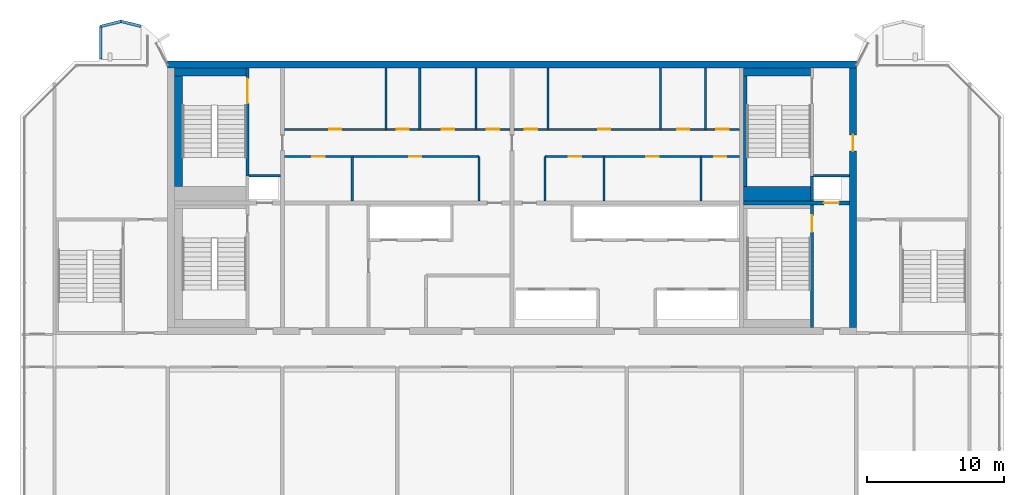
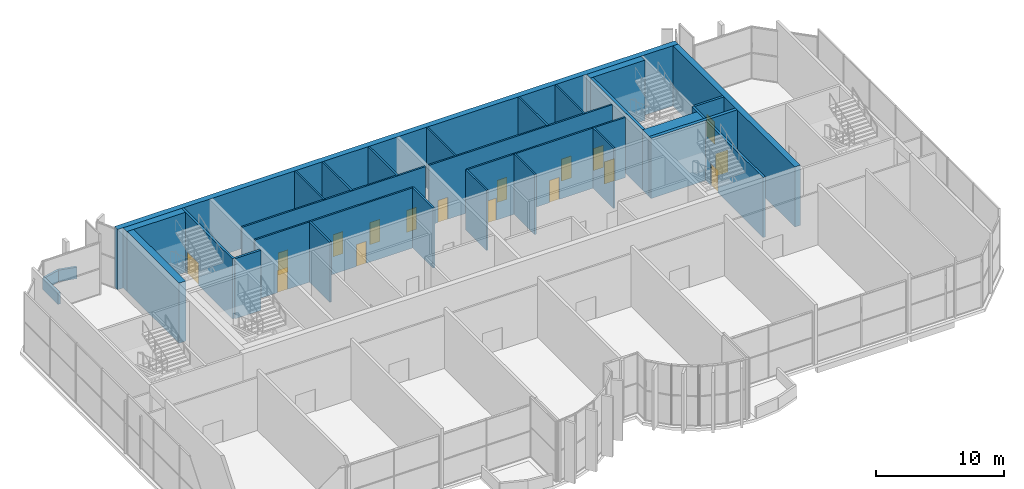
# One storey, part 15 of 17: 31 walls, 17 doors, 17 openings.
"""IFC4 building model written with IfcOpenShell, lengths in metres."""

from ifc_helpers import new_model, si_unit, direction, frame, frame_2d, origin, place, context, subcontext, project, spatial, rectangle, extrude, source, transform, mapped, material, layer, layer_set, type_object, element, fill, save


model = new_model("IFC4")

# Units and contexts
model_context = context("Model", 3, precision=1e-05, world=origin(), true_north=direction((0.0, 1.0)))
body_context = subcontext(model_context, "Body", "Model", "MODEL_VIEW")
ifc_project = project(units=[si_unit("LENGTHUNIT", "METRE"), si_unit("AREAUNIT", "SQUARE_METRE"), si_unit("VOLUMEUNIT", "CUBIC_METRE"), si_unit("PLANEANGLEUNIT", "RADIAN"), si_unit("MASSUNIT", "GRAM", prefix="KILO")], contexts=[model_context])

# Site, building, storey
site_placement = place(None, origin())
site = spatial("IfcSite", under=ifc_project, at=site_placement, CompositionType="ELEMENT")
building_placement = place(site_placement, origin())
building = spatial("IfcBuilding", under=site, at=building_placement, Name="Vanashikhar Sky Hotel", CompositionType="ELEMENT")
storey_placement = place(building_placement, frame((0.0, 0.0, 323.699951171875)))
storey = spatial("IfcBuildingStorey", under=building, at=storey_placement, Name="L77", CompositionType="ELEMENT", Elevation=323.699951171875)

# Wall
ifc_material_1 = material(Name="Concrete M50", Category="concrete")
ifc_layer_1 = layer(ifc_material_1, 0.5)
ifc_layer_set_1 = layer_set([ifc_layer_1], Name="RC core shell wall 500 Concrete M50")
wall_type_1 = type_object("IfcWallType", Name="RC core shell wall 500 Concrete M50", PredefinedType="SHEAR", material=ifc_layer_set_1)
shared_shape_1 = source(origin(), body_context, "Body", "SweptSolid", [
    extrude(rectangle(XDim=50.400146484375, YDim=0.5, at=frame_2d((25.2001953125, 0.0))), origin(), (0.0, 0.0, 1.0), 5.719970703125),
])
wall_1_placement = place(storey_placement, frame((25.199951171875, 41.75, 0.0), z_axis=(0.0, 0.0, 1.0), x_axis=(1.0, 0.0, 0.0)))
element("IfcWall", 1, at=wall_1_placement, inside=storey, type_object=wall_type_1, Name="KW-L77-KN", PredefinedType="SHEAR", context=body_context, shape_type="MappedRepresentation", body=[
    mapped(shared_shape_1, transform((0.0, 0.0, 0.0), scale=1.0)),
])

# Wall, opening, door
shared_shape_2 = source(origin(), body_context, "Body", "SweptSolid", [
    extrude(rectangle(XDim=19.0, YDim=0.5, at=frame_2d((9.5, 0.0))), origin(), (0.0, 0.0, 1.0), 5.719970703125),
])
wall_2_placement = place(storey_placement, frame((75.35009765625, 22.5, 0.0), z_axis=(0.0, 0.0, 1.0), x_axis=(0.0, 1.0, 0.0)))
wall_2 = element("IfcWall", 2, at=wall_2_placement, inside=storey, type_object=wall_type_1, Name="KW-L77-KE", PredefinedType="SHEAR", context=body_context, shape_type="MappedRepresentation", body=[
    mapped(shared_shape_2, transform((0.0, 0.0, 0.0), scale=1.0)),
])
shared_shape_3 = source(origin(), body_context, "Body", "SweptSolid", [
    extrude(rectangle(XDim=1.199951171875, YDim=2.10009765625, at=frame_2d((0.60009765625, 1.050048828125))), frame((0.0, 0.260009765625, 0.0), z_axis=(0.0, -1.0, 0.0), x_axis=(1.0, 0.0, 0.0)), (0.0, 0.0, 1.0), 0.52001953125),
])
opening_1_placement = place(wall_2_placement, frame((12.89990234375, 0.0, 0.0)))
opening_1 = element("IfcOpeningElement", 3, at=opening_1_placement, cuts=wall_2, Name="Opening DC-4-D", PredefinedType="OPENING", context=body_context, shape_type="MappedRepresentation", body=[
    mapped(shared_shape_3, transform((0.0, 0.0, 0.0), scale=1.0)),
])
ifc_material_2 = material(Name="Steel", Category="steel")
door_type_1 = type_object("IfcDoorType", Name="Service door 1200 FD120", OperationType="NOTDEFINED", PredefinedType="DOOR", material=ifc_material_2)
shared_shape_4 = source(origin(), body_context, "Body", "SweptSolid", [
    extrude(rectangle(XDim=1.199951171875, YDim=2.10009765625, at=frame_2d((0.60009765625, 1.050048828125))), frame((0.0, 0.02490234375, 0.0), z_axis=(0.0, -1.0, 0.0), x_axis=(1.0, 0.0, 0.0)), (0.0, 0.0, 1.0), 0.050048828125),
])
door_1_placement = place(opening_1_placement, origin())
door_1 = element("IfcDoor", 4, at=door_1_placement, inside=storey, type_object=door_type_1, Name="Service door 1200 FD120", OperationType="SINGLE_SWING_LEFT", OverallHeight=2.10009765625, OverallWidth=1.199951171875, PredefinedType="DOOR", context=body_context, shape_type="MappedRepresentation", body=[
    mapped(shared_shape_4, transform((0.0, 0.0, 0.0), scale=1.0)),
])
fill(opening_1, door_1)

ifc_layer_2 = layer(ifc_material_1, 0.300048828125)
ifc_layer_set_2 = layer_set([ifc_layer_2], Name="RC core inner wall 300 Concrete M50")
wall_type_2 = type_object("IfcWallType", Name="RC core inner wall 300 Concrete M50", PredefinedType="SHEAR", material=ifc_layer_set_2)
shared_shape_5 = source(origin(), body_context, "Body", "SweptSolid", [
    extrude(rectangle(XDim=7.75, YDim=0.300048828125, at=frame_2d((3.875, 0.0))), origin(), (0.0, 0.0, 1.0), 5.719970703125),
])
wall_3_placement = place(storey_placement, frame((67.35009765625, 31.60009765625, 0.0), z_axis=(0.0, 0.0, 1.0), x_axis=(1.0, 0.0, 0.0)))
wall_3 = element("IfcWall", 5, at=wall_3_placement, inside=storey, type_object=wall_type_2, Name="KW-L77-KY4", PredefinedType="SHEAR", context=body_context, shape_type="MappedRepresentation", body=[
    mapped(shared_shape_5, transform((0.0, 0.0, 0.0), scale=1.0)),
])
shared_shape_6 = source(origin(), body_context, "Body", "SweptSolid", [
    extrude(rectangle(XDim=1.10009765625, YDim=2.10009765625, at=frame_2d((0.550048828125, 1.050048828125))), frame((0.0, 0.16015625, 0.0), z_axis=(0.0, -1.0, 0.0), x_axis=(1.0, 0.0, 0.0)), (0.0, 0.0, 1.0), 0.320068359375),
])
opening_2_placement = place(wall_3_placement, frame((5.875, 0.0, 0.0)))
opening_2 = element("IfcOpeningElement", 6, at=opening_2_placement, cuts=wall_3, Name="Opening LD", PredefinedType="OPENING", context=body_context, shape_type="MappedRepresentation", body=[
    mapped(shared_shape_6, transform((0.0, 0.0, 0.0), scale=1.0)),
])
ifc_material_3 = material(Name="Stainless steel", Category="steel")
door_type_2 = type_object("IfcDoorType", Name="Lift landing door 1100", OperationType="NOTDEFINED", PredefinedType="DOOR", material=ifc_material_3)
shared_shape_7 = source(origin(), body_context, "Body", "SweptSolid", [
    extrude(rectangle(XDim=1.10009765625, YDim=2.10009765625, at=frame_2d((0.550048828125, 1.050048828125))), frame((0.0, 0.02490234375, 0.0), z_axis=(0.0, -1.0, 0.0), x_axis=(1.0, 0.0, 0.0)), (0.0, 0.0, 1.0), 0.050048828125),
])
door_2_placement = place(opening_2_placement, origin())
door_2 = element("IfcDoor", 7, at=door_2_placement, inside=storey, type_object=door_type_2, Name="Lift landing door 1100", OperationType="SLIDING_TO_LEFT", OverallHeight=2.10009765625, OverallWidth=1.10009765625, PredefinedType="DOOR", context=body_context, shape_type="MappedRepresentation", body=[
    mapped(shared_shape_7, transform((0.0, 0.0, 0.0), scale=1.0)),
])
fill(opening_2, door_2)

# Walls
ifc_layer_3 = layer(ifc_material_1, 0.199951171875)
ifc_layer_set_3 = layer_set([ifc_layer_3], Name="Parapet 200")
wall_type_3 = type_object("IfcWallType", Name="Parapet 200", PredefinedType="PARAPET", material=ifc_layer_set_3)
shared_shape_8 = source(origin(), body_context, "Body", "SweptSolid", [
    extrude(rectangle(XDim=2.3896484375, YDim=0.199951171875, at=frame_2d((1.19482421875, 0.0))), origin(), (0.0, 0.0, 1.0), 1.10009765625),
])
wall_4_placement = place(storey_placement, frame((20.31396484375, 42.139892578125, -0.050048828125), z_axis=(0.0, 0.0, 1.0), x_axis=(0.0, 1.0, 0.0)))
element("IfcWall", 8, at=wall_4_placement, inside=storey, type_object=wall_type_3, Name="Roof parapet", PredefinedType="PARAPET", context=body_context, shape_type="MappedRepresentation", body=[
    mapped(shared_shape_8, transform((0.0, 0.0, 0.0), scale=1.0)),
])
shared_shape_9 = source(origin(), body_context, "Body", "SweptSolid", [
    extrude(rectangle(XDim=1.5302734375, YDim=0.199951171875, at=frame_2d((0.76513671875, 0.0))), origin(), (0.0, 0.0, 1.0), 1.10009765625),
])
wall_5_placement = place(storey_placement, frame((20.31396484375, 44.529541015625, -0.050048828125), z_axis=(0.0, 0.0, 1.0), x_axis=(0.971064415522, 0.238817714808, 0.0)))
element("IfcWall", 9, at=wall_5_placement, inside=storey, type_object=wall_type_3, Name="Roof parapet", PredefinedType="PARAPET", context=body_context, shape_type="MappedRepresentation", body=[
    mapped(shared_shape_9, transform((0.0, 0.0, 0.0), scale=1.0)),
])
shared_shape_10 = source(origin(), body_context, "Body", "SweptSolid", [
    extrude(rectangle(XDim=1.4912109375, YDim=0.199951171875, at=frame_2d((0.74560546875, 0.0))), origin(), (0.0, 0.0, 1.0), 1.10009765625),
])
wall_6_placement = place(storey_placement, frame((21.800048828125, 44.89501953125, -0.050048828125), z_axis=(0.0, 0.0, 1.0), x_axis=(0.971088495324, -0.238719781855, 0.0)))
element("IfcWall", 10, at=wall_6_placement, inside=storey, type_object=wall_type_3, Name="Roof parapet", PredefinedType="PARAPET", context=body_context, shape_type="MappedRepresentation", body=[
    mapped(shared_shape_10, transform((0.0, 0.0, 0.0), scale=1.0)),
])
ifc_material_4 = material(Name="Gypsum board partition")
ifc_layer_4 = layer(ifc_material_4, 0.14990234375)
ifc_layer_set_4 = layer_set([ifc_layer_4], Name="Service partition 150")
wall_type_4 = type_object("IfcWallType", Name="Service partition 150", PredefinedType="PARTITIONING", material=ifc_layer_set_4)
shared_shape_11 = source(origin(), body_context, "Body", "SweptSolid", [
    extrude(rectangle(XDim=3.25, YDim=0.14990234375, at=frame_2d((1.625, 0.0))), origin(), (0.0, 0.0, 1.0), 5.719970703125),
])
for number, where, z_axis, x_axis, name in (
    (11, (48.0, 31.75, 0.0), (0.0, 0.0, 1.0), (0.0, 1.0, 0.0), "Service partition 150"),
    (12, (38.7109375, 31.75, 0.0), (0.0, 0.0, 1.0), (0.0, 1.0, 0.0), "Service partition 150"),
    (13, (52.800048828125, 31.75, 0.0), (0.0, 0.0, 1.0), (0.0, 1.0, 0.0), "Service partition 150"),
    (14, (64.215087890625, 31.75, 0.0), (0.0, 0.0, 1.0), (0.0, 1.0, 0.0), "Service partition 150"),
    (15, (57.126953125, 31.75, 0.0), (0.0, 0.0, 1.0), (0.0, 1.0, 0.0), "Service partition 150"),
):
    element("IfcWall", number, at=place(storey_placement, frame(where, z_axis=z_axis, x_axis=x_axis)), inside=storey, type_object=wall_type_4, Name=name, PredefinedType="PARTITIONING", context=body_context, shape_type="MappedRepresentation", body=[
        mapped(shared_shape_11, transform((0.0, 0.0, 0.0), scale=1.0)),
    ])

# Wall, openings, doors
shared_shape_12 = source(origin(), body_context, "Body", "SweptSolid", [
    extrude(rectangle(XDim=14.25, YDim=0.14990234375, at=frame_2d((7.125, 0.0))), origin(), (0.0, 0.0, 1.0), 5.719970703125),
])
wall_7_placement = place(storey_placement, frame((33.75, 35.0, 0.0), z_axis=(0.0, 0.0, 1.0), x_axis=(1.0, 0.0, 0.0)))
wall_7 = element("IfcWall", 16, at=wall_7_placement, inside=storey, type_object=wall_type_4, Name="Service partition 150", PredefinedType="PARTITIONING", context=body_context, shape_type="MappedRepresentation", body=[
    mapped(shared_shape_12, transform((0.0, 0.0, 0.0), scale=1.0)),
])
shared_shape_13 = source(origin(), body_context, "Body", "SweptSolid", [
    extrude(rectangle(XDim=0.89990234375, YDim=2.10009765625, at=frame_2d((0.449951171875, 1.050048828125))), frame((0.0, 0.0849609375, 0.0), z_axis=(0.0, -1.0, 0.0), x_axis=(1.0, 0.0, 0.0)), (0.0, 0.0, 1.0), 0.169921875),
])
opening_3_placement = place(wall_7_placement, frame((2.031005859375, 0.0, 0.0)))
opening_3 = element("IfcOpeningElement", 17, at=opening_3_placement, cuts=wall_7, Name="Opening DC-4-A", PredefinedType="OPENING", context=body_context, shape_type="MappedRepresentation", body=[
    mapped(shared_shape_13, transform((0.0, 0.0, 0.0), scale=1.0)),
])
opening_4_placement = place(wall_7_placement, frame((9.117919921875, 0.0, 0.0)))
opening_4 = element("IfcOpeningElement", 18, at=opening_4_placement, cuts=wall_7, Name="Opening DC-4-A", PredefinedType="OPENING", context=body_context, shape_type="MappedRepresentation", body=[
    mapped(shared_shape_13, transform((0.0, 0.0, 0.0), scale=1.0)),
])
door_type_3 = type_object("IfcDoorType", Name="Service door 900 FD60", OperationType="NOTDEFINED", PredefinedType="DOOR", material=ifc_material_2)
shared_shape_14 = source(origin(), body_context, "Body", "SweptSolid", [
    extrude(rectangle(XDim=0.89990234375, YDim=2.10009765625, at=frame_2d((0.449951171875, 1.050048828125))), frame((0.0, 0.02490234375, 0.0), z_axis=(0.0, -1.0, 0.0), x_axis=(1.0, 0.0, 0.0)), (0.0, 0.0, 1.0), 0.050048828125),
])
door_3_placement = place(opening_3_placement, origin())
door_3 = element("IfcDoor", 19, at=door_3_placement, inside=storey, type_object=door_type_3, Name="Service door 900 FD60", OperationType="SINGLE_SWING_RIGHT", OverallHeight=2.10009765625, OverallWidth=0.89990234375, PredefinedType="DOOR", context=body_context, shape_type="MappedRepresentation", body=[
    mapped(shared_shape_14, transform((0.0, 0.0, 0.0), scale=1.0)),
])
fill(opening_3, door_3)
door_4_placement = place(opening_4_placement, origin())
door_4 = element("IfcDoor", 20, at=door_4_placement, inside=storey, type_object=door_type_3, Name="Service door 900 FD60", OperationType="SINGLE_SWING_RIGHT", OverallHeight=2.10009765625, OverallWidth=0.89990234375, PredefinedType="DOOR", context=body_context, shape_type="MappedRepresentation", body=[
    mapped(shared_shape_14, transform((0.0, 0.0, 0.0), scale=1.0)),
])
fill(opening_4, door_4)

wall_8_placement = place(storey_placement, frame((67.050048828125, 35.0, 0.0), z_axis=(0.0, 0.0, 1.0), x_axis=(-1.0, 0.0, 0.0)))
wall_8 = element("IfcWall", 21, at=wall_8_placement, inside=storey, type_object=wall_type_4, Name="Service partition 150", PredefinedType="PARTITIONING", context=body_context, shape_type="MappedRepresentation", body=[
    mapped(shared_shape_12, transform((0.0, 0.0, 0.0), scale=1.0)),
])
opening_5_placement = place(wall_8_placement, frame((0.968017578125, 0.0, 0.0)))
opening_5 = element("IfcOpeningElement", 22, at=opening_5_placement, cuts=wall_8, Name="Opening DC-4-A", PredefinedType="OPENING", context=body_context, shape_type="MappedRepresentation", body=[
    mapped(shared_shape_13, transform((0.0, 0.0, 0.0), scale=1.0)),
])
opening_6_placement = place(wall_8_placement, frame((5.928955078125, 0.0, 0.0)))
opening_6 = element("IfcOpeningElement", 23, at=opening_6_placement, cuts=wall_8, Name="Opening DC-4-A", PredefinedType="OPENING", context=body_context, shape_type="MappedRepresentation", body=[
    mapped(shared_shape_13, transform((0.0, 0.0, 0.0), scale=1.0)),
])
opening_7_placement = place(wall_8_placement, frame((11.59912109375, 0.0, 0.0)))
opening_7 = element("IfcOpeningElement", 24, at=opening_7_placement, cuts=wall_8, Name="Opening DC-4-A", PredefinedType="OPENING", context=body_context, shape_type="MappedRepresentation", body=[
    mapped(shared_shape_13, transform((0.0, 0.0, 0.0), scale=1.0)),
])
door_5_placement = place(opening_5_placement, origin())
door_5 = element("IfcDoor", 25, at=door_5_placement, inside=storey, type_object=door_type_3, Name="Service door 900 FD60", OperationType="SINGLE_SWING_RIGHT", OverallHeight=2.10009765625, OverallWidth=0.89990234375, PredefinedType="DOOR", context=body_context, shape_type="MappedRepresentation", body=[
    mapped(shared_shape_14, transform((0.0, 0.0, 0.0), scale=1.0)),
])
fill(opening_5, door_5)
door_6_placement = place(opening_6_placement, origin())
door_6 = element("IfcDoor", 26, at=door_6_placement, inside=storey, type_object=door_type_3, Name="Service door 900 FD60", OperationType="SINGLE_SWING_RIGHT", OverallHeight=2.10009765625, OverallWidth=0.89990234375, PredefinedType="DOOR", context=body_context, shape_type="MappedRepresentation", body=[
    mapped(shared_shape_14, transform((0.0, 0.0, 0.0), scale=1.0)),
])
fill(opening_6, door_6)
door_7_placement = place(opening_7_placement, origin())
door_7 = element("IfcDoor", 27, at=door_7_placement, inside=storey, type_object=door_type_3, Name="Service door 900 FD60", OperationType="SINGLE_SWING_RIGHT", OverallHeight=2.10009765625, OverallWidth=0.89990234375, PredefinedType="DOOR", context=body_context, shape_type="MappedRepresentation", body=[
    mapped(shared_shape_14, transform((0.0, 0.0, 0.0), scale=1.0)),
])
fill(opening_7, door_7)

shared_shape_15 = source(origin(), body_context, "Body", "SweptSolid", [
    extrude(rectangle(XDim=16.5, YDim=0.14990234375, at=frame_2d((8.25, 0.0))), origin(), (0.0, 0.0, 1.0), 5.719970703125),
])
wall_9_placement = place(storey_placement, frame((33.75, 37.0, 0.0), z_axis=(0.0, 0.0, 1.0), x_axis=(1.0, 0.0, 0.0)))
wall_9 = element("IfcWall", 28, at=wall_9_placement, inside=storey, type_object=wall_type_4, Name="Service partition 150", PredefinedType="PARTITIONING", context=body_context, shape_type="MappedRepresentation", body=[
    mapped(shared_shape_15, transform((0.0, 0.0, 0.0), scale=1.0)),
])
opening_8_placement = place(wall_9_placement, frame((3.261962890625, 0.0, 0.0)))
opening_8 = element("IfcOpeningElement", 29, at=opening_8_placement, cuts=wall_9, Name="Opening DC-4-A", PredefinedType="OPENING", context=body_context, shape_type="MappedRepresentation", body=[
    mapped(shared_shape_13, transform((0.0, 0.0, 0.0), scale=1.0)),
])
opening_9_placement = place(wall_9_placement, frame((8.2119140625, 0.0, 0.0)))
opening_9 = element("IfcOpeningElement", 30, at=opening_9_placement, cuts=wall_9, Name="Opening DC-4-A", PredefinedType="OPENING", context=body_context, shape_type="MappedRepresentation", body=[
    mapped(shared_shape_13, transform((0.0, 0.0, 0.0), scale=1.0)),
])
opening_10_placement = place(wall_9_placement, frame((11.511962890625, 0.0, 0.0)))
opening_10 = element("IfcOpeningElement", 31, at=opening_10_placement, cuts=wall_9, Name="Opening DC-4-A", PredefinedType="OPENING", context=body_context, shape_type="MappedRepresentation", body=[
    mapped(shared_shape_13, transform((0.0, 0.0, 0.0), scale=1.0)),
])
opening_11_placement = place(wall_9_placement, frame((14.81298828125, 0.0, 0.0)))
opening_11 = element("IfcOpeningElement", 32, at=opening_11_placement, cuts=wall_9, Name="Opening DC-4-A", PredefinedType="OPENING", context=body_context, shape_type="MappedRepresentation", body=[
    mapped(shared_shape_13, transform((0.0, 0.0, 0.0), scale=1.0)),
])
door_8_placement = place(opening_8_placement, origin())
door_8 = element("IfcDoor", 33, at=door_8_placement, inside=storey, type_object=door_type_3, Name="Service door 900 FD60", OperationType="SINGLE_SWING_LEFT", OverallHeight=2.10009765625, OverallWidth=0.89990234375, PredefinedType="DOOR", context=body_context, shape_type="MappedRepresentation", body=[
    mapped(shared_shape_14, transform((0.0, 0.0, 0.0), scale=1.0)),
])
fill(opening_8, door_8)
door_9_placement = place(opening_9_placement, origin())
door_9 = element("IfcDoor", 34, at=door_9_placement, inside=storey, type_object=door_type_3, Name="Service door 900 FD60", OperationType="SINGLE_SWING_LEFT", OverallHeight=2.10009765625, OverallWidth=0.89990234375, PredefinedType="DOOR", context=body_context, shape_type="MappedRepresentation", body=[
    mapped(shared_shape_14, transform((0.0, 0.0, 0.0), scale=1.0)),
])
fill(opening_9, door_9)
door_10_placement = place(opening_10_placement, origin())
door_10 = element("IfcDoor", 35, at=door_10_placement, inside=storey, type_object=door_type_3, Name="Service door 900 FD60", OperationType="SINGLE_SWING_LEFT", OverallHeight=2.10009765625, OverallWidth=0.89990234375, PredefinedType="DOOR", context=body_context, shape_type="MappedRepresentation", body=[
    mapped(shared_shape_14, transform((0.0, 0.0, 0.0), scale=1.0)),
])
fill(opening_10, door_10)
door_11_placement = place(opening_11_placement, origin())
door_11 = element("IfcDoor", 36, at=door_11_placement, inside=storey, type_object=door_type_3, Name="Service door 900 FD60", OperationType="SINGLE_SWING_LEFT", OverallHeight=2.10009765625, OverallWidth=0.89990234375, PredefinedType="DOOR", context=body_context, shape_type="MappedRepresentation", body=[
    mapped(shared_shape_14, transform((0.0, 0.0, 0.0), scale=1.0)),
])
fill(opening_11, door_11)

wall_10_placement = place(storey_placement, frame((67.050048828125, 37.0, 0.0), z_axis=(0.0, 0.0, 1.0), x_axis=(-1.0, 0.0, 0.0)))
wall_10 = element("IfcWall", 37, at=wall_10_placement, inside=storey, type_object=wall_type_4, Name="Service partition 150", PredefinedType="PARTITIONING", context=body_context, shape_type="MappedRepresentation", body=[
    mapped(shared_shape_15, transform((0.0, 0.0, 0.0), scale=1.0)),
])
opening_12_placement = place(wall_10_placement, frame((0.7880859375, 0.0, 0.0)))
opening_12 = element("IfcOpeningElement", 38, at=opening_12_placement, cuts=wall_10, Name="Opening DC-4-A", PredefinedType="OPENING", context=body_context, shape_type="MappedRepresentation", body=[
    mapped(shared_shape_13, transform((0.0, 0.0, 0.0), scale=1.0)),
])
opening_13_placement = place(wall_10_placement, frame((3.675048828125, 0.0, 0.0)))
opening_13 = element("IfcOpeningElement", 39, at=opening_13_placement, cuts=wall_10, Name="Opening DC-4-A", PredefinedType="OPENING", context=body_context, shape_type="MappedRepresentation", body=[
    mapped(shared_shape_13, transform((0.0, 0.0, 0.0), scale=1.0)),
])
opening_14_placement = place(wall_10_placement, frame((9.449951171875, 0.0, 0.0)))
opening_14 = element("IfcOpeningElement", 40, at=opening_14_placement, cuts=wall_10, Name="Opening DC-4-A", PredefinedType="OPENING", context=body_context, shape_type="MappedRepresentation", body=[
    mapped(shared_shape_13, transform((0.0, 0.0, 0.0), scale=1.0)),
])
opening_15_placement = place(wall_10_placement, frame((14.81298828125, 0.0, 0.0)))
opening_15 = element("IfcOpeningElement", 41, at=opening_15_placement, cuts=wall_10, Name="Opening DC-4-A", PredefinedType="OPENING", context=body_context, shape_type="MappedRepresentation", body=[
    mapped(shared_shape_13, transform((0.0, 0.0, 0.0), scale=1.0)),
])
door_12_placement = place(opening_12_placement, origin())
door_12 = element("IfcDoor", 42, at=door_12_placement, inside=storey, type_object=door_type_3, Name="Service door 900 FD60", OperationType="SINGLE_SWING_LEFT", OverallHeight=2.10009765625, OverallWidth=0.89990234375, PredefinedType="DOOR", context=body_context, shape_type="MappedRepresentation", body=[
    mapped(shared_shape_14, transform((0.0, 0.0, 0.0), scale=1.0)),
])
fill(opening_12, door_12)
door_13_placement = place(opening_13_placement, origin())
door_13 = element("IfcDoor", 43, at=door_13_placement, inside=storey, type_object=door_type_3, Name="Service door 900 FD60", OperationType="SINGLE_SWING_LEFT", OverallHeight=2.10009765625, OverallWidth=0.89990234375, PredefinedType="DOOR", context=body_context, shape_type="MappedRepresentation", body=[
    mapped(shared_shape_14, transform((0.0, 0.0, 0.0), scale=1.0)),
])
fill(opening_13, door_13)
door_14_placement = place(opening_14_placement, origin())
door_14 = element("IfcDoor", 44, at=door_14_placement, inside=storey, type_object=door_type_3, Name="Service door 900 FD60", OperationType="SINGLE_SWING_LEFT", OverallHeight=2.10009765625, OverallWidth=0.89990234375, PredefinedType="DOOR", context=body_context, shape_type="MappedRepresentation", body=[
    mapped(shared_shape_14, transform((0.0, 0.0, 0.0), scale=1.0)),
])
fill(opening_14, door_14)
door_15_placement = place(opening_15_placement, origin())
door_15 = element("IfcDoor", 45, at=door_15_placement, inside=storey, type_object=door_type_3, Name="Service door 900 FD60", OperationType="SINGLE_SWING_RIGHT", OverallHeight=2.10009765625, OverallWidth=0.89990234375, PredefinedType="DOOR", context=body_context, shape_type="MappedRepresentation", body=[
    mapped(shared_shape_14, transform((0.0, 0.0, 0.0), scale=1.0)),
])
fill(opening_15, door_15)

# Walls
shared_shape_16 = source(origin(), body_context, "Body", "SweptSolid", [
    extrude(rectangle(XDim=4.5, YDim=0.14990234375, at=frame_2d((2.25, 0.0))), origin(), (0.0, 0.0, 1.0), 5.719970703125),
])
for number, where, z_axis, x_axis, name in (
    (46, (41.175048828125, 37.0, 0.0), (0.0, 0.0, 1.0), (0.0, 1.0, 0.0), "Service partition 150"),
    (47, (43.64990234375, 37.0, 0.0), (0.0, 0.0, 1.0), (0.0, 1.0, 0.0), "Service partition 150"),
    (48, (47.77490234375, 37.0, 0.0), (0.0, 0.0, 1.0), (0.0, 1.0, 0.0), "Service partition 150"),
    (49, (64.574951171875, 37.0, 0.0), (0.0, 0.0, 1.0), (0.0, 1.0, 0.0), "Service partition 150"),
    (50, (61.27490234375, 37.0, 0.0), (0.0, 0.0, 1.0), (0.0, 1.0, 0.0), "Service partition 150"),
    (51, (53.02490234375, 37.0, 0.0), (0.0, 0.0, 1.0), (0.0, 1.0, 0.0), "Service partition 150"),
):
    element("IfcWall", number, at=place(storey_placement, frame(where, z_axis=z_axis, x_axis=x_axis)), inside=storey, type_object=wall_type_4, Name=name, PredefinedType="PARTITIONING", context=body_context, shape_type="MappedRepresentation", body=[
        mapped(shared_shape_16, transform((0.0, 0.0, 0.0), scale=1.0)),
    ])

# Wall, opening, door
ifc_layer_5 = layer(ifc_material_1, 0.199951171875)
ifc_layer_set_5 = layer_set([ifc_layer_5], Name="Stair wall 200")
wall_type_5 = type_object("IfcWallType", Name="Stair wall 200", PredefinedType="SOLIDWALL", material=ifc_layer_set_5)
shared_shape_17 = source(origin(), body_context, "Body", "SweptSolid", [
    extrude(rectangle(XDim=8.949951171875, YDim=0.199951171875, at=frame_2d((4.47509765625, 0.0))), origin(), (0.0, 0.0, 1.0), 5.719970703125),
])
wall_11_placement = place(storey_placement, frame((72.35009765625, 22.5, 0.0), z_axis=(0.0, 0.0, 1.0), x_axis=(0.0, 1.0, 0.0)))
wall_11 = element("IfcWall", 52, at=wall_11_placement, inside=storey, type_object=wall_type_5, Name="Stair wall 200", PredefinedType="SOLIDWALL", context=body_context, shape_type="MappedRepresentation", body=[
    mapped(shared_shape_17, transform((0.0, 0.0, 0.0), scale=1.0)),
])
shared_shape_18 = source(origin(), body_context, "Body", "SweptSolid", [
    extrude(rectangle(XDim=1.199951171875, YDim=2.10009765625, at=frame_2d((0.60009765625, 1.050048828125))), frame((0.0, 0.10986328125, 0.0), z_axis=(0.0, -1.0, 0.0), x_axis=(1.0, 0.0, 0.0)), (0.0, 0.0, 1.0), 0.219970703125),
])
opening_16_placement = place(wall_11_placement, frame((7.0, 0.0, 0.0)))
opening_16 = element("IfcOpeningElement", 53, at=opening_16_placement, cuts=wall_11, Name="Opening DC-1", PredefinedType="OPENING", context=body_context, shape_type="MappedRepresentation", body=[
    mapped(shared_shape_18, transform((0.0, 0.0, 0.0), scale=1.0)),
])
door_type_4 = type_object("IfcDoorType", Name="Stair door 1200 FD120", OperationType="NOTDEFINED", PredefinedType="DOOR", material=ifc_material_2)
door_16_placement = place(opening_16_placement, origin())
door_16 = element("IfcDoor", 54, at=door_16_placement, inside=storey, type_object=door_type_4, Name="Stair door 1200 FD120", OperationType="SINGLE_SWING_RIGHT", OverallHeight=2.10009765625, OverallWidth=1.199951171875, PredefinedType="DOOR", context=body_context, shape_type="MappedRepresentation", body=[
    mapped(shared_shape_4, transform((0.0, 0.0, 0.0), scale=1.0)),
])
fill(opening_16, door_16)

# Walls
ifc_material_5 = material(Name="Concrete M40", Category="concrete")
ifc_layer_6 = layer(ifc_material_5, 0.199951171875)
ifc_layer_set_6 = layer_set([ifc_layer_6], Name="Shaft wall 200")
wall_type_6 = type_object("IfcWallType", Name="Shaft wall 200", PredefinedType="SOLIDWALL", material=ifc_layer_set_6)
shared_shape_19 = source(origin(), body_context, "Body", "SweptSolid", [
    extrude(rectangle(XDim=1.85009765625, YDim=0.199951171875, at=frame_2d((0.925048828125, 0.0))), origin(), (0.0, 0.0, 1.0), 5.719970703125),
])
wall_12_placement = place(storey_placement, frame((72.35009765625, 31.75, 0.0), z_axis=(0.0, 0.0, 1.0), x_axis=(0.0, 1.0, 0.0)))
element("IfcWall", 55, at=wall_12_placement, inside=storey, type_object=wall_type_6, Name="Shaft wall 200", PredefinedType="SOLIDWALL", context=body_context, shape_type="MappedRepresentation", body=[
    mapped(shared_shape_19, transform((0.0, 0.0, 0.0), scale=1.0)),
])
shared_shape_20 = source(origin(), body_context, "Body", "SweptSolid", [
    extrude(rectangle(XDim=2.300048828125, YDim=0.199951171875, at=frame_2d((1.14990234375, 0.0))), origin(), (0.0, 0.0, 1.0), 5.719970703125),
])
wall_13_placement = place(storey_placement, frame((31.14990234375, 33.60009765625, 0.0), z_axis=(0.0, 0.0, 1.0), x_axis=(1.0, 0.0, 0.0)))
element("IfcWall", 56, at=wall_13_placement, inside=storey, type_object=wall_type_6, Name="Shaft wall 200", PredefinedType="SOLIDWALL", context=body_context, shape_type="MappedRepresentation", body=[
    mapped(shared_shape_20, transform((0.0, 0.0, 0.0), scale=1.0)),
])

# Wall, opening, door
shared_shape_21 = source(origin(), body_context, "Body", "SweptSolid", [
    extrude(rectangle(XDim=7.89990234375, YDim=0.199951171875, at=frame_2d((3.949951171875, 0.0))), origin(), (0.0, 0.0, 1.0), 5.719970703125),
])
wall_14_placement = place(storey_placement, frame((31.050048828125, 33.60009765625, 0.0), z_axis=(0.0, 0.0, 1.0), x_axis=(0.0, 1.0, 0.0)))
wall_14 = element("IfcWall", 57, at=wall_14_placement, inside=storey, type_object=wall_type_5, Name="Stair wall 200", PredefinedType="SOLIDWALL", context=body_context, shape_type="MappedRepresentation", body=[
    mapped(shared_shape_21, transform((0.0, 0.0, 0.0), scale=1.0)),
])
shared_shape_22 = source(origin(), body_context, "Body", "SweptSolid", [
    extrude(rectangle(XDim=1.800048828125, YDim=2.10009765625, at=frame_2d((0.89990234375, 1.050048828125))), frame((0.0, 0.10986328125, 0.0), z_axis=(0.0, -1.0, 0.0), x_axis=(1.0, 0.0, 0.0)), (0.0, 0.0, 1.0), 0.219970703125),
])
opening_17_placement = place(wall_14_placement, frame((5.300048828125, 0.0, 0.0)))
opening_17 = element("IfcOpeningElement", 58, at=opening_17_placement, cuts=wall_14, Name="Opening DC-1-A", PredefinedType="OPENING", context=body_context, shape_type="MappedRepresentation", body=[
    mapped(shared_shape_22, transform((0.0, 0.0, 0.0), scale=1.0)),
])
door_type_5 = type_object("IfcDoorType", Name="Stair door 1800 FD120", OperationType="NOTDEFINED", PredefinedType="DOOR", material=ifc_material_2)
shared_shape_23 = source(origin(), body_context, "Body", "SweptSolid", [
    extrude(rectangle(XDim=1.800048828125, YDim=2.10009765625, at=frame_2d((0.89990234375, 1.050048828125))), frame((0.0, 0.02490234375, 0.0), z_axis=(0.0, -1.0, 0.0), x_axis=(1.0, 0.0, 0.0)), (0.0, 0.0, 1.0), 0.050048828125),
])
door_17_placement = place(opening_17_placement, origin())
door_17 = element("IfcDoor", 59, at=door_17_placement, inside=storey, type_object=door_type_5, Name="Stair door 1800 FD120", OperationType="SINGLE_SWING_RIGHT", OverallHeight=2.10009765625, OverallWidth=1.800048828125, PredefinedType="DOOR", context=body_context, shape_type="MappedRepresentation", body=[
    mapped(shared_shape_23, transform((0.0, 0.0, 0.0), scale=1.0)),
])
fill(opening_17, door_17)

# Walls
shared_shape_24 = source(origin(), body_context, "Body", "SweptSolid", [
    extrude(rectangle(XDim=2.650146484375, YDim=0.199951171875, at=frame_2d((1.3251953125, 0.0))), origin(), (0.0, 0.0, 1.0), 5.719970703125),
])
wall_15_placement = place(storey_placement, frame((72.449951171875, 33.60009765625, 0.0), z_axis=(0.0, 0.0, 1.0), x_axis=(1.0, 0.0, 0.0)))
element("IfcWall", 60, at=wall_15_placement, inside=storey, type_object=wall_type_6, Name="Shaft wall 200", PredefinedType="SOLIDWALL", context=body_context, shape_type="MappedRepresentation", body=[
    mapped(shared_shape_24, transform((0.0, 0.0, 0.0), scale=1.0)),
])
ifc_layer_7 = layer(ifc_material_1, 0.60009765625)
ifc_layer_set_7 = layer_set([ifc_layer_7], Name="Stair infill wall 600")
wall_type_7 = type_object("IfcWallType", Name="Stair infill wall 600", PredefinedType="SOLIDWALL", material=ifc_layer_set_7)
shared_shape_25 = source(origin(), body_context, "Body", "SweptSolid", [
    extrude(rectangle(XDim=5.25, YDim=0.60009765625, at=frame_2d((2.625, 0.0))), origin(), (0.0, 0.0, 1.0), 5.719970703125),
])
wall_16_placement = place(storey_placement, frame((25.699951171875, 41.199951171875, 0.0), z_axis=(0.0, 0.0, 1.0), x_axis=(1.0, 0.0, 0.0)))
element("IfcWall", 61, at=wall_16_placement, inside=storey, type_object=wall_type_7, Name="Stair infill wall 600", PredefinedType="SOLIDWALL", context=body_context, shape_type="MappedRepresentation", body=[
    mapped(shared_shape_25, transform((0.0, 0.0, 0.0), scale=1.0)),
])
shared_shape_26 = source(origin(), body_context, "Body", "SweptSolid", [
    extrude(rectangle(XDim=8.099853515625, YDim=0.60009765625, at=frame_2d((4.0498046875, 0.0))), origin(), (0.0, 0.0, 1.0), 5.719970703125),
])
wall_17_placement = place(storey_placement, frame((26.0, 32.800048828125, 0.0), z_axis=(0.0, 0.0, 1.0), x_axis=(0.0, 1.0, 0.0)))
element("IfcWall", 62, at=wall_17_placement, inside=storey, type_object=wall_type_7, Name="Stair infill wall 600", PredefinedType="SOLIDWALL", context=body_context, shape_type="MappedRepresentation", body=[
    mapped(shared_shape_26, transform((0.0, 0.0, 0.0), scale=1.0)),
])
shared_shape_27 = source(origin(), body_context, "Body", "SweptSolid", [
    extrude(rectangle(XDim=4.89990234375, YDim=0.60009765625, at=frame_2d((2.449951171875, 0.0))), origin(), (0.0, 0.0, 1.0), 5.719970703125),
])
wall_18_placement = place(storey_placement, frame((67.35009765625, 41.199951171875, 0.0), z_axis=(0.0, 0.0, 1.0), x_axis=(1.0, 0.0, 0.0)))
element("IfcWall", 63, at=wall_18_placement, inside=storey, type_object=wall_type_7, Name="Stair infill wall 600", PredefinedType="SOLIDWALL", context=body_context, shape_type="MappedRepresentation", body=[
    mapped(shared_shape_27, transform((0.0, 0.0, 0.0), scale=1.0)),
])
ifc_layer_8 = layer(ifc_material_1, 0.25)
ifc_layer_set_8 = layer_set([ifc_layer_8], Name="Stair infill wall 250")
wall_type_8 = type_object("IfcWallType", Name="Stair infill wall 250", PredefinedType="SOLIDWALL", material=ifc_layer_set_8)
shared_shape_28 = source(origin(), body_context, "Body", "SweptSolid", [
    extrude(rectangle(XDim=8.099853515625, YDim=0.25, at=frame_2d((4.0498046875, 0.0))), origin(), (0.0, 0.0, 1.0), 5.719970703125),
])
wall_19_placement = place(storey_placement, frame((67.47509765625, 32.800048828125, 0.0), z_axis=(0.0, 0.0, 1.0), x_axis=(0.0, 1.0, 0.0)))
element("IfcWall", 64, at=wall_19_placement, inside=storey, type_object=wall_type_8, Name="Stair infill wall 250", PredefinedType="SOLIDWALL", context=body_context, shape_type="MappedRepresentation", body=[
    mapped(shared_shape_28, transform((0.0, 0.0, 0.0), scale=1.0)),
])
ifc_layer_9 = layer(ifc_material_1, 1.050048828125)
ifc_layer_set_9 = layer_set([ifc_layer_9], Name="Stair infill wall 1050")
wall_type_9 = type_object("IfcWallType", Name="Stair infill wall 1050", PredefinedType="SOLIDWALL", material=ifc_layer_set_9)
shared_shape_29 = source(origin(), body_context, "Body", "SweptSolid", [
    extrude(rectangle(XDim=4.89990234375, YDim=1.050048828125, at=frame_2d((2.449951171875, 0.0))), origin(), (0.0, 0.0, 1.0), 5.719970703125),
])
wall_20_placement = place(storey_placement, frame((67.35009765625, 32.27490234375, 0.0), z_axis=(0.0, 0.0, 1.0), x_axis=(1.0, 0.0, 0.0)))
element("IfcWall", 65, at=wall_20_placement, inside=storey, type_object=wall_type_9, Name="Stair infill wall 1050", PredefinedType="SOLIDWALL", context=body_context, shape_type="MappedRepresentation", body=[
    mapped(shared_shape_29, transform((0.0, 0.0, 0.0), scale=1.0)),
])

save(model, "model.ifc")
